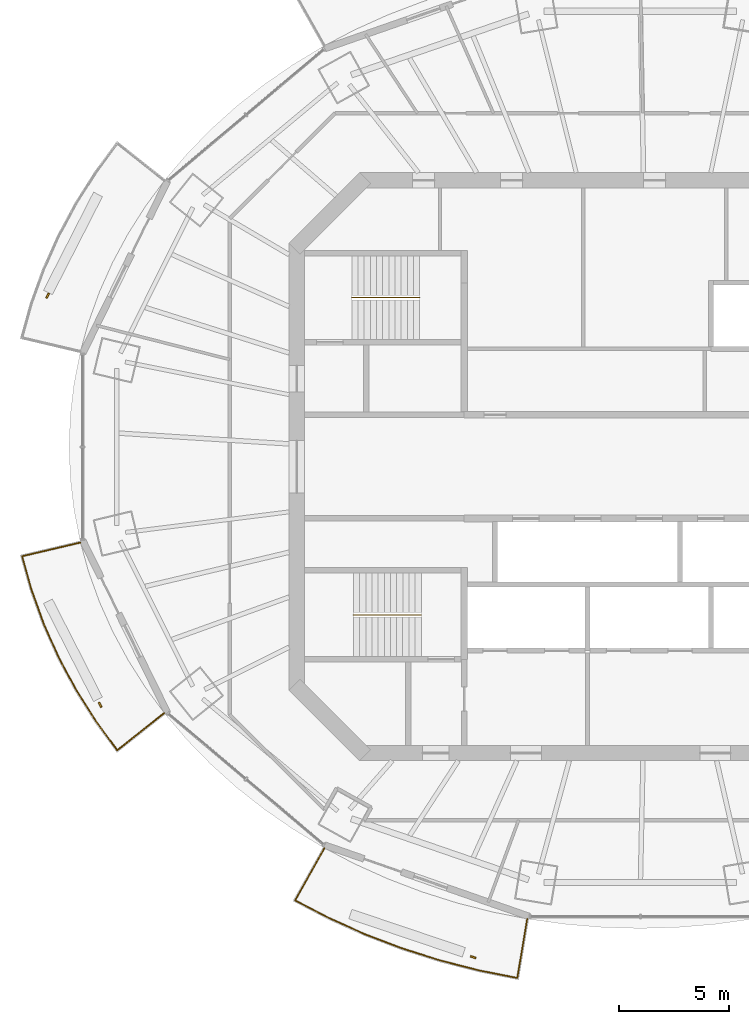
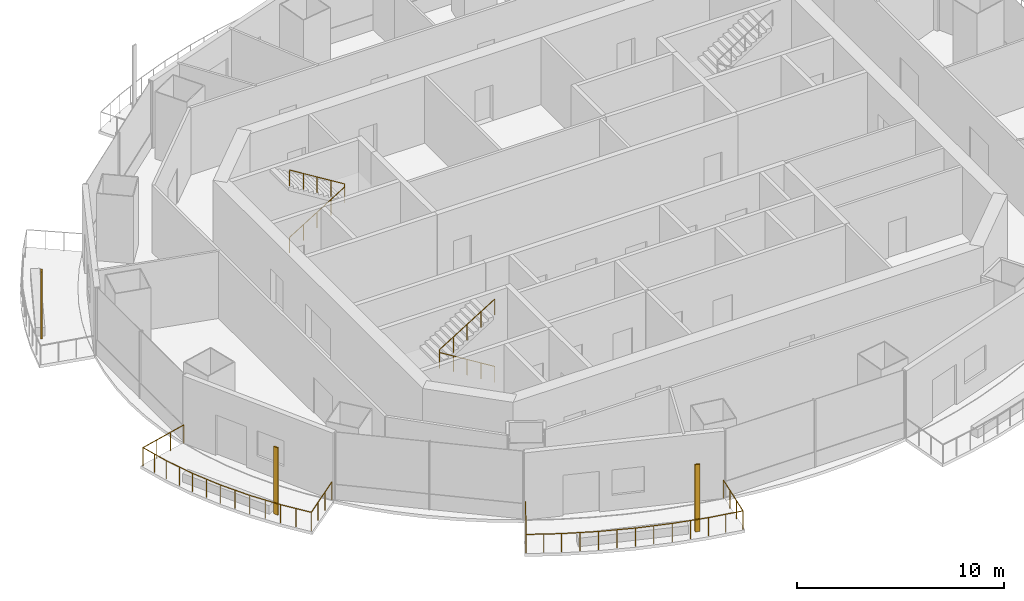
# One storey, part 12 of 16: 4 railings, 3 shading devices.
"""IFC4 building model written with IfcOpenShell, lengths in metres."""

from ifc_helpers import new_model, si_unit, direction, frame, origin, origin_2d, place, context, subcontext, project, spatial, rectangle, circle, extrude, material, material_profile, profile_set, type_object, element, save


model = new_model("IFC4")

# Units and contexts
model_context = context("Model", 3, precision=1e-05, world=origin(), true_north=direction((0.0, 1.0)))
body_context = subcontext(model_context, "Body", "Model", "MODEL_VIEW")
ifc_project = project(units=[si_unit("LENGTHUNIT", "METRE"), si_unit("AREAUNIT", "SQUARE_METRE"), si_unit("VOLUMEUNIT", "CUBIC_METRE"), si_unit("PLANEANGLEUNIT", "RADIAN"), si_unit("MASSUNIT", "GRAM", prefix="KILO")], contexts=[model_context])

# Site, building, storey
site_placement = place(None, origin())
site = spatial("IfcSite", under=ifc_project, at=site_placement, CompositionType="ELEMENT")
building_placement = place(site_placement, origin())
building = spatial("IfcBuilding", under=site, at=building_placement, Name="Marenthal Gate Tower", CompositionType="ELEMENT")
storey_placement = place(building_placement, frame((0.0, 0.0, 379.949951171875)))
storey = spatial("IfcBuildingStorey", under=building, at=storey_placement, Name="L86", CompositionType="ELEMENT", Elevation=379.949951171875)

# Railings
ifc_material_1 = material(Name="Stainless steel", Category="steel")
railing_type_1 = type_object("IfcRailingType", Name="Balcony guard 1100", PredefinedType="GUARDRAIL", material=ifc_material_1)
railing_1_placement = place(storey_placement, frame((-22.019775390625, -11.184814453125, 0.0)))
element("IfcRailing", 1, at=railing_1_placement, inside=storey, type_object=railing_type_1, Name="Balcony guard L86 bay 9", PredefinedType="GUARDRAIL", context=body_context, shape_type="SweptSolid", body=[
    extrude(circle(Radius=0.02392578125, at=origin_2d()), frame((0.0, 0.0, 1.076171875), z_axis=(-0.783848051765, -0.620778220066, -0.014718465822), x_axis=(0.62084547159, -0.783932969332, 0.0)), (0.0, 0.0, 1.0), 2.72021484375),
    extrude(circle(Radius=0.02392578125, at=origin_2d()), frame((-2.13232421875, -1.688720703125, 1.0361328125), z_axis=(-0.592180333089, 0.805805468524, 0.0), x_axis=(-0.805805468524, -0.592180333089, 0.0)), (0.0, 0.0, 1.0), 1.619384765625),
    extrude(circle(Radius=0.02392578125, at=origin_2d()), frame((-3.09130859375, -0.3837890625, 1.0361328125), z_axis=(-0.535564667698, 0.844494219467, 0.0), x_axis=(-0.844494219467, -0.535564667698, 0.0)), (0.0, 0.0, 1.0), 1.68798828125),
    extrude(circle(Radius=0.02392578125, at=origin_2d()), frame((-3.995361328125, 1.041748046875, 1.0361328125), z_axis=(-0.473457232822, 0.880816807679, 0.0), x_axis=(-0.880816807679, -0.473457232822, 0.0)), (0.0, 0.0, 1.0), 1.677001953125),
    extrude(circle(Radius=0.02392578125, at=origin_2d()), frame((-4.789306640625, 2.518798828125, 1.0361328125), z_axis=(-0.407659561492, 0.913133989031, 0.0), x_axis=(-0.913133989031, -0.407659561492, 0.0)), (0.0, 0.0, 1.0), 1.667236328125),
    extrude(circle(Radius=0.02392578125, at=origin_2d()), frame((-5.468994140625, 4.041259765625, 1.0361328125), z_axis=(-0.338563156163, 0.940943669562, 0.0), x_axis=(-0.940943669562, -0.338563156163, 0.0)), (0.0, 0.0, 1.0), 1.6591796875),
    extrude(circle(Radius=0.02392578125, at=origin_2d()), frame((-6.03076171875, 5.6025390625, 1.0361328125), z_axis=(-0.268460599739, 0.963290665577, 0.0), x_axis=(-0.963290665577, -0.268460599739, 0.0)), (0.0, 0.0, 1.0), 1.572265625),
    extrude(circle(Radius=0.02392578125, at=origin_2d()), frame((-6.452880859375, 7.1171875, 1.0361328125), z_axis=(0.973202156383, 0.229479704341, 0.014718291557), x_axis=(-0.229504564257, 0.973307584983, 0.0)), (0.0, 0.0, 1.0), 2.720458984375),
    extrude(circle(Radius=0.02099609375, at=origin_2d()), origin(), (0.0, 0.0, 1.0), 1.052001953125),
    extrude(circle(Radius=0.02099609375, at=origin_2d()), frame((-0.710693359375, -0.56298828125, -0.013427734375)), (0.0, 0.0, 1.0), 1.052001953125),
    extrude(circle(Radius=0.02099609375, at=origin_2d()), frame((-1.421630859375, -1.125732421875, -0.026611328125)), (0.0, 0.0, 1.0), 1.052001953125),
    extrude(circle(Radius=0.02099609375, at=origin_2d()), frame((-2.13232421875, -1.688720703125, -0.0400390625)), (0.0, 0.0, 1.0), 1.052001953125),
    extrude(circle(Radius=0.02099609375, at=origin_2d()), frame((-2.61181640625, -1.0361328125, -0.0400390625)), (0.0, 0.0, 1.0), 1.052001953125),
    extrude(circle(Radius=0.02099609375, at=origin_2d()), frame((-3.09130859375, -0.3837890625, -0.0400390625)), (0.0, 0.0, 1.0), 1.052001953125),
    extrude(circle(Radius=0.02099609375, at=origin_2d()), frame((-3.54345703125, 0.3291015625, -0.0400390625)), (0.0, 0.0, 1.0), 1.052001953125),
    extrude(circle(Radius=0.02099609375, at=origin_2d()), frame((-3.995361328125, 1.041748046875, -0.0400390625)), (0.0, 0.0, 1.0), 1.052001953125),
    extrude(circle(Radius=0.02099609375, at=origin_2d()), frame((-4.392333984375, 1.7802734375, -0.0400390625)), (0.0, 0.0, 1.0), 1.052001953125),
    extrude(circle(Radius=0.02099609375, at=origin_2d()), frame((-4.789306640625, 2.518798828125, -0.0400390625)), (0.0, 0.0, 1.0), 1.052001953125),
    extrude(circle(Radius=0.02099609375, at=origin_2d()), frame((-5.129150390625, 3.280029296875, -0.0400390625)), (0.0, 0.0, 1.0), 1.052001953125),
    extrude(circle(Radius=0.02099609375, at=origin_2d()), frame((-5.468994140625, 4.041259765625, -0.0400390625)), (0.0, 0.0, 1.0), 1.052001953125),
    extrude(circle(Radius=0.02099609375, at=origin_2d()), frame((-5.75, 4.82177734375, -0.0400390625)), (0.0, 0.0, 1.0), 1.052001953125),
    extrude(circle(Radius=0.02099609375, at=origin_2d()), frame((-6.03076171875, 5.6025390625, -0.0400390625)), (0.0, 0.0, 1.0), 1.052001953125),
    extrude(circle(Radius=0.02099609375, at=origin_2d()), frame((-6.24169921875, 6.35986328125, -0.0400390625)), (0.0, 0.0, 1.0), 1.052001953125),
    extrude(circle(Radius=0.02099609375, at=origin_2d()), frame((-6.452880859375, 7.1171875, -0.0400390625)), (0.0, 0.0, 1.0), 1.052001953125),
    extrude(circle(Radius=0.02099609375, at=origin_2d()), frame((-5.5703125, 7.3251953125, -0.026611328125)), (0.0, 0.0, 1.0), 1.052001953125),
    extrude(circle(Radius=0.02099609375, at=origin_2d()), frame((-4.68798828125, 7.533447265625, -0.013427734375)), (0.0, 0.0, 1.0), 1.052001953125),
    extrude(circle(Radius=0.02099609375, at=origin_2d()), frame((-3.805419921875, 7.741455078125, 0.0)), (0.0, 0.0, 1.0), 1.052001953125),
])
railing_2_placement = place(storey_placement, frame((-5.539794921875, -20.53173828125, 0.0)))
element("IfcRailing", 2, at=railing_2_placement, inside=storey, type_object=railing_type_1, Name="Balcony guard L86 bay 11", PredefinedType="GUARDRAIL", context=body_context, shape_type="SweptSolid", body=[
    extrude(circle(Radius=0.02392578125, at=origin_2d()), frame((0.0, 0.0, 1.076171875), z_axis=(-0.165501751995, -0.986099647054, -0.014719244754), x_axis=(0.9862064867, -0.165519683396, 0.0)), (0.0, 0.0, 1.0), 2.72021484375),
    extrude(circle(Radius=0.02392578125, at=origin_2d()), frame((-0.4501953125, -2.682373046875, 1.0361328125), z_axis=(-0.980989908715, 0.194058751412, 0.0), x_axis=(-0.194058751412, -0.980989908715, 0.0)), (0.0, 0.0, 1.0), 1.757568359375),
    extrude(circle(Radius=0.02392578125, at=origin_2d()), frame((-2.17431640625, -2.34130859375, 1.0361328125), z_axis=(-0.968818339515, 0.247772123168, 0.0), x_axis=(-0.247772123168, -0.968818339515, 0.0)), (0.0, 0.0, 1.0), 1.830810546875),
    extrude(circle(Radius=0.02392578125, at=origin_2d()), frame((-3.947998046875, -1.8876953125, 1.0361328125), z_axis=(-0.953191090515, 0.302368558158, 0.0), x_axis=(-0.302368558158, -0.953191090515, 0.0)), (0.0, 0.0, 1.0), 1.822265625),
    extrude(circle(Radius=0.02392578125, at=origin_2d()), frame((-5.68505859375, -1.336669921875, 1.0361328125), z_axis=(-0.934175957833, 0.356812667665, 0.0), x_axis=(-0.356812667665, -0.934175957833, 0.0)), (0.0, 0.0, 1.0), 1.813232421875),
    extrude(circle(Radius=0.02392578125, at=origin_2d()), frame((-7.37890625, -0.689697265625, 1.0361328125), z_axis=(-0.911738959801, 0.410770092851, 0.0), x_axis=(-0.410770092851, -0.911738959801, 0.0)), (0.0, 0.0, 1.0), 1.802734375),
    extrude(circle(Radius=0.02392578125, at=origin_2d()), frame((-9.0224609375, 0.05078125, 1.0361328125), z_axis=(-0.886322623965, 0.463068252257, 0.0), x_axis=(-0.463068252257, -0.886322623965, 0.0)), (0.0, 0.0, 1.0), 1.7109375),
    extrude(circle(Radius=0.02392578125, at=origin_2d()), frame((-10.538818359375, 0.843017578125, 1.0361328125), z_axis=(0.491021790399, 0.871022934714, 0.014718986223), x_axis=(-0.871117302978, 0.491074988624, 0.0)), (0.0, 0.0, 1.0), 2.72021484375),
    extrude(circle(Radius=0.02099609375, at=origin_2d()), origin(), (0.0, 0.0, 1.0), 1.052001953125),
    extrude(circle(Radius=0.02099609375, at=origin_2d()), frame((-0.150146484375, -0.89404296875, -0.013427734375)), (0.0, 0.0, 1.0), 1.052001953125),
    extrude(circle(Radius=0.02099609375, at=origin_2d()), frame((-0.300048828125, -1.788330078125, -0.026611328125)), (0.0, 0.0, 1.0), 1.052001953125),
    extrude(circle(Radius=0.02099609375, at=origin_2d()), frame((-0.4501953125, -2.682373046875, -0.0400390625)), (0.0, 0.0, 1.0), 1.052001953125),
    extrude(circle(Radius=0.02099609375, at=origin_2d()), frame((-1.312255859375, -2.51171875, -0.0400390625)), (0.0, 0.0, 1.0), 1.052001953125),
    extrude(circle(Radius=0.02099609375, at=origin_2d()), frame((-2.17431640625, -2.34130859375, -0.0400390625)), (0.0, 0.0, 1.0), 1.052001953125),
    extrude(circle(Radius=0.02099609375, at=origin_2d()), frame((-3.06103515625, -2.114501953125, -0.0400390625)), (0.0, 0.0, 1.0), 1.052001953125),
    extrude(circle(Radius=0.02099609375, at=origin_2d()), frame((-3.947998046875, -1.8876953125, -0.0400390625)), (0.0, 0.0, 1.0), 1.052001953125),
    extrude(circle(Radius=0.02099609375, at=origin_2d()), frame((-4.81640625, -1.6123046875, -0.0400390625)), (0.0, 0.0, 1.0), 1.052001953125),
    extrude(circle(Radius=0.02099609375, at=origin_2d()), frame((-5.68505859375, -1.336669921875, -0.0400390625)), (0.0, 0.0, 1.0), 1.052001953125),
    extrude(circle(Radius=0.02099609375, at=origin_2d()), frame((-6.531982421875, -1.01318359375, -0.0400390625)), (0.0, 0.0, 1.0), 1.052001953125),
    extrude(circle(Radius=0.02099609375, at=origin_2d()), frame((-7.37890625, -0.689697265625, -0.0400390625)), (0.0, 0.0, 1.0), 1.052001953125),
    extrude(circle(Radius=0.02099609375, at=origin_2d()), frame((-8.20068359375, -0.3193359375, -0.0400390625)), (0.0, 0.0, 1.0), 1.052001953125),
    extrude(circle(Radius=0.02099609375, at=origin_2d()), frame((-9.0224609375, 0.05078125, -0.0400390625)), (0.0, 0.0, 1.0), 1.052001953125),
    extrude(circle(Radius=0.02099609375, at=origin_2d()), frame((-9.78076171875, 0.44677734375, -0.0400390625)), (0.0, 0.0, 1.0), 1.052001953125),
    extrude(circle(Radius=0.02099609375, at=origin_2d()), frame((-10.538818359375, 0.843017578125, -0.0400390625)), (0.0, 0.0, 1.0), 1.052001953125),
    extrude(circle(Radius=0.02099609375, at=origin_2d()), frame((-10.093505859375, 1.6328125, -0.026611328125)), (0.0, 0.0, 1.0), 1.052001953125),
    extrude(circle(Radius=0.02099609375, at=origin_2d()), frame((-9.6484375, 2.422607421875, -0.013427734375)), (0.0, 0.0, 1.0), 1.052001953125),
    extrude(circle(Radius=0.02099609375, at=origin_2d()), frame((-9.203125, 3.21240234375, 0.0)), (0.0, 0.0, 1.0), 1.052001953125),
])
ifc_material_2 = material(Name="Stainless steel", Category="steel")
railing_type_2 = type_object("IfcRailingType", Name="Stair handrail", PredefinedType="HANDRAIL", material=ifc_material_2)
railing_3_placement = place(storey_placement, frame((-13.5, 7.675048828125, 0.1728515625)))
element("IfcRailing", 3, at=railing_3_placement, inside=storey, type_object=railing_type_2, Name="Handrail ST1", PredefinedType="HANDRAIL", context=body_context, shape_type="SweptSolid", body=[
    extrude(circle(Radius=0.0224609375, at=origin_2d()), frame((0.0, 0.0, 0.927490234375), z_axis=(0.850835241893, 0.0, 0.525432575268), x_axis=(0.0, 1.0, 0.0)), (0.0, 0.0, 1.0), 3.6201171875),
    extrude(circle(Radius=0.0224609375, at=origin_2d()), frame((3.080078125, 0.0, 2.82958984375), z_axis=(0.0, 0.0, 1.0), x_axis=(1.0, 0.0, 0.0)), (0.0, 0.0, 1.0), 0.173095703125),
    extrude(circle(Radius=0.0224609375, at=origin_2d()), frame((3.080078125, 0.0, 3.002685546875), z_axis=(-0.850835241893, 0.0, 0.525432575268), x_axis=(0.0, -1.0, 0.0)), (0.0, 0.0, 1.0), 3.6201171875),
    extrude(circle(Radius=0.02001953125, at=origin_2d()), origin(), (0.0, 0.0, 1.0), 0.905029296875),
    extrude(circle(Radius=0.02001953125, at=origin_2d()), frame((0.77001953125, 0.0, 0.4755859375)), (0.0, 0.0, 1.0), 0.905029296875),
    extrude(circle(Radius=0.02001953125, at=origin_2d()), frame((1.5400390625, 0.0, 0.951171875)), (0.0, 0.0, 1.0), 0.905029296875),
    extrude(circle(Radius=0.02001953125, at=origin_2d()), frame((2.31005859375, 0.0, 1.426513671875)), (0.0, 0.0, 1.0), 0.905029296875),
    extrude(circle(Radius=0.02001953125, at=origin_2d()), frame((3.080078125, 0.0, 1.902099609375)), (0.0, 0.0, 1.0), 0.905029296875),
    extrude(circle(Radius=0.02001953125, at=origin_2d()), frame((3.080078125, 0.0, 2.0751953125)), (0.0, 0.0, 1.0), 0.905029296875),
    extrude(circle(Radius=0.02001953125, at=origin_2d()), frame((2.31005859375, 0.0, 2.55078125)), (0.0, 0.0, 1.0), 0.905029296875),
    extrude(circle(Radius=0.02001953125, at=origin_2d()), frame((1.5400390625, 0.0, 3.0263671875)), (0.0, 0.0, 1.0), 0.905029296875),
    extrude(circle(Radius=0.02001953125, at=origin_2d()), frame((0.77001953125, 0.0, 3.501708984375)), (0.0, 0.0, 1.0), 0.905029296875),
    extrude(circle(Radius=0.02001953125, at=origin_2d()), frame((0.0, 0.0, 3.977294921875)), (0.0, 0.0, 1.0), 0.905029296875),
])
railing_4_placement = place(storey_placement, frame((-10.35009765625, -6.72509765625, 0.1728515625)))
element("IfcRailing", 4, at=railing_4_placement, inside=storey, type_object=railing_type_2, Name="Handrail ST2", PredefinedType="HANDRAIL", context=body_context, shape_type="SweptSolid", body=[
    extrude(circle(Radius=0.0224609375, at=origin_2d()), frame((0.0, 0.0, 0.927490234375), z_axis=(-0.850816621229, 0.0, 0.525462726595), x_axis=(0.0, -1.0, 0.0)), (0.0, 0.0, 1.0), 3.619873046875),
    extrude(circle(Radius=0.0224609375, at=origin_2d()), frame((-3.079833984375, 0.0, 2.82958984375), z_axis=(0.0, 0.0, 1.0), x_axis=(1.0, 0.0, 0.0)), (0.0, 0.0, 1.0), 0.173095703125),
    extrude(circle(Radius=0.0224609375, at=origin_2d()), frame((-3.079833984375, 0.0, 3.002685546875), z_axis=(0.850816621229, 0.0, 0.525462726595), x_axis=(0.0, 1.0, 0.0)), (0.0, 0.0, 1.0), 3.619873046875),
    extrude(circle(Radius=0.02001953125, at=origin_2d()), origin(), (0.0, 0.0, 1.0), 0.905029296875),
    extrude(circle(Radius=0.02001953125, at=origin_2d()), frame((-0.77001953125, 0.0, 0.4755859375)), (0.0, 0.0, 1.0), 0.905029296875),
    extrude(circle(Radius=0.02001953125, at=origin_2d()), frame((-1.5400390625, 0.0, 0.951171875)), (0.0, 0.0, 1.0), 0.905029296875),
    extrude(circle(Radius=0.02001953125, at=origin_2d()), frame((-2.309814453125, 0.0, 1.426513671875)), (0.0, 0.0, 1.0), 0.905029296875),
    extrude(circle(Radius=0.02001953125, at=origin_2d()), frame((-3.079833984375, 0.0, 1.902099609375)), (0.0, 0.0, 1.0), 0.905029296875),
    extrude(circle(Radius=0.02001953125, at=origin_2d()), frame((-3.079833984375, 0.0, 2.0751953125)), (0.0, 0.0, 1.0), 0.905029296875),
    extrude(circle(Radius=0.02001953125, at=origin_2d()), frame((-2.309814453125, 0.0, 2.55078125)), (0.0, 0.0, 1.0), 0.905029296875),
    extrude(circle(Radius=0.02001953125, at=origin_2d()), frame((-1.5400390625, 0.0, 3.0263671875)), (0.0, 0.0, 1.0), 0.905029296875),
    extrude(circle(Radius=0.02001953125, at=origin_2d()), frame((-0.77001953125, 0.0, 3.501708984375)), (0.0, 0.0, 1.0), 0.905029296875),
    extrude(circle(Radius=0.02001953125, at=origin_2d()), frame((0.0, 0.0, 3.977294921875)), (0.0, 0.0, 1.0), 0.905029296875),
])

# Shading devices
ifc_material_3 = material(Name="Terracotta", Category="masonry")
ifc_material_profile = material_profile(ifc_material_3, rectangle(XDim=0.25, YDim=0.080078125, at=origin_2d()), Name="Terracotta baguette 250x80")
ifc_profile_set = profile_set([ifc_material_profile], Name="Terracotta")
shading_device_type = type_object("IfcShadingDeviceType", Name="Terracotta BAGUETTE SCREEN 250x80", PredefinedType="USERDEFINED", material=ifc_profile_set)
for number, where, z_axis, x_axis, name in (
    (5, (-27.3125, 7.766845703125, -0.0400390625), (0.0, 0.0, 1.0), (-0.44093893362, -0.897537106096, 0.0), "Terracotta BAGUETTE L86 bay 7R"),
    (6, (-24.931396484375, -10.81396484375, -0.0400390625), (0.0, 0.0, 1.0), (0.44093893362, -0.897537106096, 0.0), "Terracotta BAGUETTE L86 bay 9R"),
    (7, (-7.99267578125, -22.2724609375, -0.0400390625), (0.0, 0.0, 1.0), (0.944082187386, -0.329710211338, 0.0), "Terracotta BAGUETTE L86 bay 11R"),
):
    element("IfcShadingDevice", number, at=place(storey_placement, frame(where, z_axis=z_axis, x_axis=x_axis)), inside=storey, type_object=shading_device_type, Name=name, ObjectType="BAGUETTE SCREEN", PredefinedType="USERDEFINED", context=body_context, shape_type="SweptSolid", body=[
        extrude(rectangle(XDim=0.25, YDim=0.080078125, at=origin_2d()), origin(), (0.0, 0.0, 1.0), 3.969970703125),
    ])

save(model, "model.ifc")
